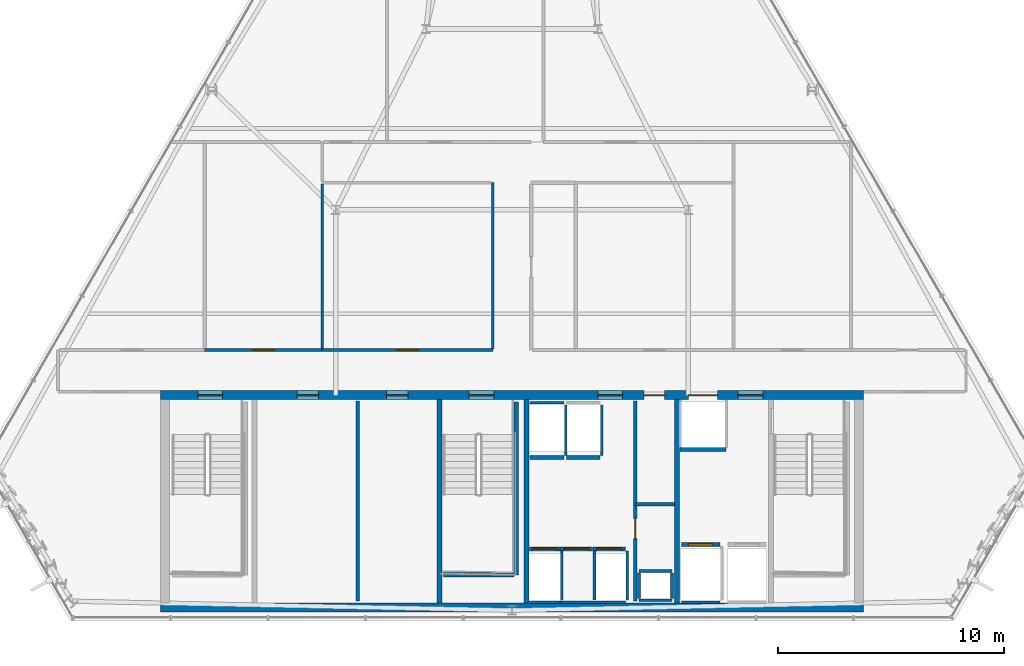
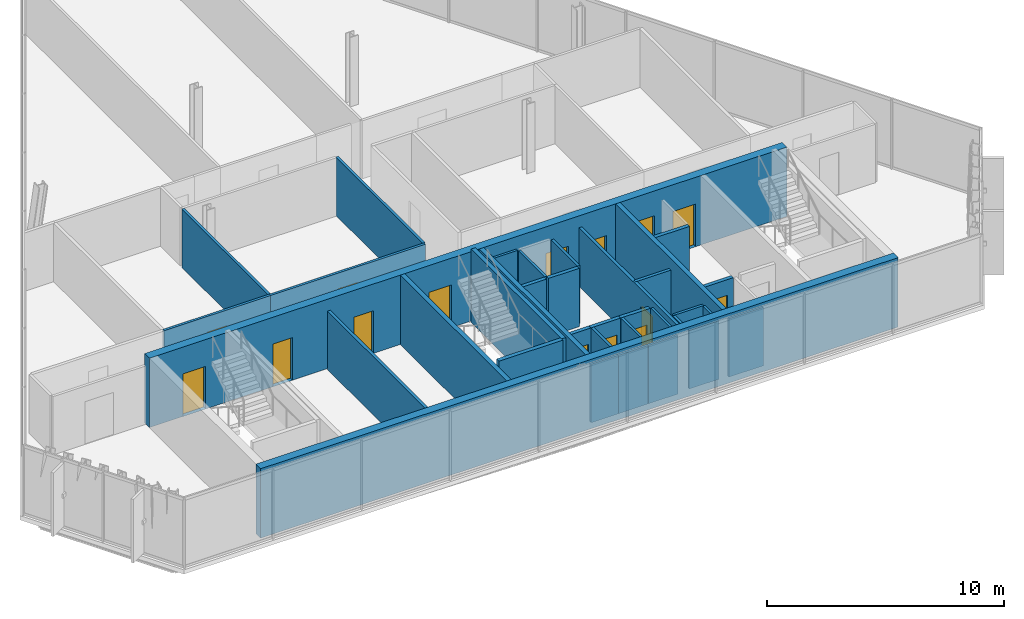
# One storey, part 24 of 30: 35 walls, 15 doors, 15 openings.
"""IFC4 building model written with IfcOpenShell, lengths in metres."""

from ifc_helpers import new_model, si_unit, direction, frame, frame_2d, origin, place, context, subcontext, project, spatial, rectangle, extrude, material, layer, layer_set, type_object, element, fill, save


model = new_model("IFC4")

# Units and contexts
model_context = context("Model", 3, precision=1e-05, world=origin(), true_north=direction((0.0, 1.0)))
body_context = subcontext(model_context, "Body", "Model", "MODEL_VIEW")
ifc_project = project(units=[si_unit("LENGTHUNIT", "METRE"), si_unit("AREAUNIT", "SQUARE_METRE"), si_unit("VOLUMEUNIT", "CUBIC_METRE"), si_unit("PLANEANGLEUNIT", "RADIAN"), si_unit("MASSUNIT", "GRAM", prefix="KILO")], contexts=[model_context])

# Site, building, storey
site_placement = place(None, origin())
site = spatial("IfcSite", under=ifc_project, at=site_placement, CompositionType="ELEMENT")
building_placement = place(site_placement, origin())
building = spatial("IfcBuilding", under=site, at=building_placement, Name="Ndaravel Arena Tower", CompositionType="ELEMENT")
storey_placement = place(building_placement, frame((0.0, 0.0, 225.60009765625)))
storey = spatial("IfcBuildingStorey", under=building, at=storey_placement, Name="L54", CompositionType="ELEMENT", Elevation=225.60009765625)

# Wall, opening, door
ifc_material_1 = material(Name="Gypsum", Category="gypsum")
ifc_layer_1 = layer(ifc_material_1, 0.14990234375)
ifc_layer_set_1 = layer_set([ifc_layer_1], Name="Gypsum")
wall_type_1 = type_object("IfcWallType", Name="WALL-COMP-150", PredefinedType="PARTITIONING", material=ifc_layer_set_1)
wall_1_placement = place(storey_placement, frame((47.449951171875, 5.89990234375, 0.0), z_axis=(0.0, 0.0, 1.0), x_axis=(0.0, 1.0, 0.0)))
wall_1 = element("IfcWall", 1, at=wall_1_placement, inside=storey, type_object=wall_type_1, Name="L54 Core Riser Bay Partition", PredefinedType="PARTITIONING", context=body_context, shape_type="SweptSolid", body=[
    extrude(rectangle(XDim=8.85009765625, YDim=0.14990234375, at=frame_2d((4.425048828125, 0.0))), origin(), (0.0, 0.0, 1.0), 3.010498046875),
])
opening_1_placement = place(wall_1_placement, frame((2.75, 0.0, 0.0)))
opening_1 = element("IfcOpeningElement", 2, at=opening_1_placement, cuts=wall_1, Name="Opening RD-01", PredefinedType="OPENING", context=body_context, shape_type="SweptSolid", body=[
    extrude(rectangle(XDim=0.89990234375, YDim=2.10009765625, at=frame_2d((0.449951171875, 1.050048828125))), frame((0.0, 0.074951171875, 0.0), z_axis=(0.0, -1.0, 0.0), x_axis=(1.0, 0.0, 0.0)), (0.0, 0.0, 1.0), 0.14990234375),
])
ifc_material_2 = material(Name="Steel S355", Category="steel")
door_type_1 = type_object("IfcDoorType", Name="DT-08-RISER-900", OperationType="SINGLE_SWING_LEFT", PredefinedType="DOOR", material=ifc_material_2)
door_1_placement = place(opening_1_placement, origin())
door_1 = element("IfcDoor", 3, at=door_1_placement, inside=storey, type_object=door_type_1, Name="L54 Electrical Riser Door", OperationType="SINGLE_SWING_RIGHT", OverallHeight=2.10009765625, OverallWidth=0.89990234375, PredefinedType="DOOR", context=body_context, shape_type="SweptSolid", body=[
    extrude(rectangle(XDim=0.89990234375, YDim=2.10009765625, at=frame_2d((0.449951171875, 1.050048828125))), frame((0.0, 0.02490234375, 0.0), z_axis=(0.0, -1.0, 0.0), x_axis=(1.0, 0.0, 0.0)), (0.0, 0.0, 1.0), 0.050048828125),
])
fill(opening_1, door_1)

# Walls
wall_2_placement = place(storey_placement, frame((47.449951171875, 10.179931640625, 0.0), z_axis=(0.0, 0.0, 1.0), x_axis=(1.0, 0.0, 0.0)))
element("IfcWall", 4, at=wall_2_placement, inside=storey, type_object=wall_type_1, Name="L54 Core Riser Divider 1", PredefinedType="PARTITIONING", context=body_context, shape_type="SweptSolid", body=[
    extrude(rectangle(XDim=1.72998046875, YDim=0.14990234375, at=frame_2d((0.864990234375, 0.0))), origin(), (0.0, 0.0, 1.0), 3.010498046875),
])
wall_3_placement = place(storey_placement, frame((35.179931640625, 5.89990234375, 0.0), z_axis=(0.0, 0.0, 1.0), x_axis=(0.0, 1.0, 0.0)))
element("IfcWall", 5, at=wall_3_placement, inside=storey, type_object=wall_type_1, Name="L54 High-Zone Core Divider 1", PredefinedType="PARTITIONING", context=body_context, shape_type="SweptSolid", body=[
    extrude(rectangle(XDim=8.85009765625, YDim=0.14990234375, at=frame_2d((4.425048828125, 0.0))), origin(), (0.0, 0.0, 1.0), 3.010498046875),
])
ifc_material_3 = material(Name="Concrete C50/60", Category="concrete")
ifc_layer_2 = layer(ifc_material_3, 0.219970703125)
ifc_layer_set_2 = layer_set([ifc_layer_2], Name="Concrete C50/60")
wall_type_2 = type_object("IfcWallType", Name="WALL-CORE-220", PredefinedType="SOLIDWALL", material=ifc_layer_set_2)
for number, where, z_axis, x_axis, name in (
    (6, (38.800048828125, 5.800048828125, 0.0), (0.0, 0.0, 1.0), (0.0, 1.0, 0.0), "L54 Core Web Shear Wall 2"),
    (7, (42.64990234375, 5.800048828125, 0.0), (0.0, 0.0, 1.0), (0.0, 1.0, 0.0), "L54 Core Web Shear Wall 3"),
    (8, (49.300048828125, 5.800048828125, 0.0), (0.0, 0.0, 1.0), (0.0, 1.0, 0.0), "L54 Core Web Shear Wall 4"),
):
    element("IfcWall", number, at=place(storey_placement, frame(where, z_axis=z_axis, x_axis=x_axis)), inside=storey, type_object=wall_type_2, Name=name, PredefinedType="SOLIDWALL", context=body_context, shape_type="SweptSolid", body=[
        extrude(rectangle(XDim=9.0, YDim=0.219970703125, at=frame_2d((4.5, 0.0))), origin(), (0.0, 0.0, 1.0), 3.579833984375),
    ])

# Wall, openings, doors
ifc_material_4 = material(Name="Concrete C50/60", Category="concrete")
ifc_layer_3 = layer(ifc_material_4, 0.39990234375)
ifc_layer_set_3 = layer_set([ifc_layer_3], Name="Concrete C50/60")
wall_type_3 = type_object("IfcWallType", Name="WALL-CORE-400", PredefinedType="SOLIDWALL", material=ifc_layer_set_3)
wall_4_placement = place(storey_placement, frame((26.449951171875, 15.0, 0.0), z_axis=(0.0, 0.0, 1.0), x_axis=(1.0, 0.0, 0.0)))
wall_4 = element("IfcWall", 9, at=wall_4_placement, inside=storey, type_object=wall_type_3, Name="L54 Core North Shear Wall", PredefinedType="SOLIDWALL", context=body_context, shape_type="SweptSolid", body=[
    extrude(rectangle(XDim=31.10009765625, YDim=0.39990234375, at=frame_2d((15.550048828125, 0.0))), origin(), (0.0, 0.0, 1.0), 3.579833984375),
])
opening_2_placement = place(wall_4_placement, frame((1.64990234375, 0.0, 0.0)))
opening_2 = element("IfcOpeningElement", 10, at=opening_2_placement, cuts=wall_4, Name="Opening FD-01", PredefinedType="OPENING", context=body_context, shape_type="SweptSolid", body=[
    extrude(rectangle(XDim=1.10009765625, YDim=2.199951171875, at=frame_2d((0.550048828125, 1.10009765625))), frame((0.0, 0.199951171875, 0.0), z_axis=(0.0, -1.0, 0.0), x_axis=(1.0, 0.0, 0.0)), (0.0, 0.0, 1.0), 0.39990234375),
])
opening_3_placement = place(wall_4_placement, frame((13.64990234375, 0.0, 0.0)))
opening_3 = element("IfcOpeningElement", 11, at=opening_3_placement, cuts=wall_4, Name="Opening FD-01", PredefinedType="OPENING", context=body_context, shape_type="SweptSolid", body=[
    extrude(rectangle(XDim=1.10009765625, YDim=2.199951171875, at=frame_2d((0.550048828125, 1.10009765625))), frame((0.0, 0.199951171875, 0.0), z_axis=(0.0, -1.0, 0.0), x_axis=(1.0, 0.0, 0.0)), (0.0, 0.0, 1.0), 0.39990234375),
])
opening_4_placement = place(wall_4_placement, frame((25.550048828125, 0.0, 0.0)))
opening_4 = element("IfcOpeningElement", 12, at=opening_4_placement, cuts=wall_4, Name="Opening FD-01", PredefinedType="OPENING", context=body_context, shape_type="SweptSolid", body=[
    extrude(rectangle(XDim=1.10009765625, YDim=2.199951171875, at=frame_2d((0.550048828125, 1.10009765625))), frame((0.0, 0.199951171875, 0.0), z_axis=(0.0, -1.0, 0.0), x_axis=(1.0, 0.0, 0.0)), (0.0, 0.0, 1.0), 0.39990234375),
])
opening_5_placement = place(wall_4_placement, frame((19.35009765625, 0.0, 0.0)))
opening_5 = element("IfcOpeningElement", 13, at=opening_5_placement, cuts=wall_4, Name="Opening FD-01", PredefinedType="OPENING", context=body_context, shape_type="SweptSolid", body=[
    extrude(rectangle(XDim=1.10009765625, YDim=2.199951171875, at=frame_2d((0.550048828125, 1.10009765625))), frame((0.0, 0.199951171875, 0.0), z_axis=(0.0, -1.0, 0.0), x_axis=(1.0, 0.0, 0.0)), (0.0, 0.0, 1.0), 0.39990234375),
])
opening_6_placement = place(wall_4_placement, frame((21.39990234375, 0.0, 0.0)))
opening_6 = element("IfcOpeningElement", 14, at=opening_6_placement, cuts=wall_4, Name="Opening RD-01", PredefinedType="OPENING", context=body_context, shape_type="SweptSolid", body=[
    extrude(rectangle(XDim=0.89990234375, YDim=2.10009765625, at=frame_2d((0.449951171875, 1.050048828125))), frame((0.0, 0.199951171875, 0.0), z_axis=(0.0, -1.0, 0.0), x_axis=(1.0, 0.0, 0.0)), (0.0, 0.0, 1.0), 0.39990234375),
])
opening_7_placement = place(wall_4_placement, frame((6.0400390625, 0.0, 0.0)))
opening_7 = element("IfcOpeningElement", 15, at=opening_7_placement, cuts=wall_4, Name="Opening FD-03", PredefinedType="OPENING", context=body_context, shape_type="SweptSolid", body=[
    extrude(rectangle(XDim=0.949951171875, YDim=2.199951171875, at=frame_2d((0.47509765625, 1.10009765625))), frame((0.0, 0.199951171875, 0.0), z_axis=(0.0, -1.0, 0.0), x_axis=(1.0, 0.0, 0.0)), (0.0, 0.0, 1.0), 0.39990234375),
])
opening_8_placement = place(wall_4_placement, frame((9.989990234375, 0.0, 0.0)))
opening_8 = element("IfcOpeningElement", 16, at=opening_8_placement, cuts=wall_4, Name="Opening FD-03", PredefinedType="OPENING", context=body_context, shape_type="SweptSolid", body=[
    extrude(rectangle(XDim=0.949951171875, YDim=2.199951171875, at=frame_2d((0.47509765625, 1.10009765625))), frame((0.0, 0.199951171875, 0.0), z_axis=(0.0, -1.0, 0.0), x_axis=(1.0, 0.0, 0.0)), (0.0, 0.0, 1.0), 0.39990234375),
])
opening_9_placement = place(wall_4_placement, frame((23.35009765625, 0.0, 0.0)))
opening_9 = element("IfcOpeningElement", 17, at=opening_9_placement, cuts=wall_4, Name="Opening LD-02", PredefinedType="OPENING", context=body_context, shape_type="SweptSolid", body=[
    extrude(rectangle(XDim=1.300048828125, YDim=2.300048828125, at=frame_2d((0.64990234375, 1.14990234375))), frame((0.0, 0.199951171875, 0.0), z_axis=(0.0, -1.0, 0.0), x_axis=(1.0, 0.0, 0.0)), (0.0, 0.0, 1.0), 0.39990234375),
])
ifc_material_5 = material(Name="Steel S355", Category="steel")
door_type_2 = type_object("IfcDoorType", Name="DT-01-STAIR-1100", OperationType="SINGLE_SWING_LEFT", PredefinedType="DOOR", material=ifc_material_5)
door_2_placement = place(opening_2_placement, origin())
door_2 = element("IfcDoor", 18, at=door_2_placement, inside=storey, type_object=door_type_2, Name="L54 Exit Stair ST-1 Door", OperationType="SINGLE_SWING_LEFT", OverallHeight=2.199951171875, OverallWidth=1.10009765625, PredefinedType="DOOR", context=body_context, shape_type="SweptSolid", body=[
    extrude(rectangle(XDim=1.10009765625, YDim=2.199951171875, at=frame_2d((0.550048828125, 1.10009765625))), frame((0.0, 0.02490234375, 0.0), z_axis=(0.0, -1.0, 0.0), x_axis=(1.0, 0.0, 0.0)), (0.0, 0.0, 1.0), 0.050048828125),
])
fill(opening_2, door_2)
door_3_placement = place(opening_3_placement, origin())
door_3 = element("IfcDoor", 19, at=door_3_placement, inside=storey, type_object=door_type_2, Name="L54 Exit Stair ST-2 Door", OperationType="SINGLE_SWING_RIGHT", OverallHeight=2.199951171875, OverallWidth=1.10009765625, PredefinedType="DOOR", context=body_context, shape_type="SweptSolid", body=[
    extrude(rectangle(XDim=1.10009765625, YDim=2.199951171875, at=frame_2d((0.550048828125, 1.10009765625))), frame((0.0, 0.02490234375, 0.0), z_axis=(0.0, -1.0, 0.0), x_axis=(1.0, 0.0, 0.0)), (0.0, 0.0, 1.0), 0.050048828125),
])
fill(opening_3, door_3)
door_4_placement = place(opening_4_placement, origin())
door_4 = element("IfcDoor", 20, at=door_4_placement, inside=storey, type_object=door_type_2, Name="L54 Firefighting Lift Lobby Door", OperationType="SINGLE_SWING_RIGHT", OverallHeight=2.199951171875, OverallWidth=1.10009765625, PredefinedType="DOOR", context=body_context, shape_type="SweptSolid", body=[
    extrude(rectangle(XDim=1.10009765625, YDim=2.199951171875, at=frame_2d((0.550048828125, 1.10009765625))), frame((0.0, 0.02490234375, 0.0), z_axis=(0.0, -1.0, 0.0), x_axis=(1.0, 0.0, 0.0)), (0.0, 0.0, 1.0), 0.050048828125),
])
fill(opening_4, door_4)
door_5_placement = place(opening_5_placement, origin())
door_5 = element("IfcDoor", 21, at=door_5_placement, inside=storey, type_object=door_type_2, Name="L54 Express Lift Lobby Entry Door", OperationType="SINGLE_SWING_LEFT", OverallHeight=2.199951171875, OverallWidth=1.10009765625, PredefinedType="DOOR", context=body_context, shape_type="SweptSolid", body=[
    extrude(rectangle(XDim=1.10009765625, YDim=2.199951171875, at=frame_2d((0.550048828125, 1.10009765625))), frame((0.0, 0.02490234375, 0.0), z_axis=(0.0, -1.0, 0.0), x_axis=(1.0, 0.0, 0.0)), (0.0, 0.0, 1.0), 0.050048828125),
])
fill(opening_5, door_5)
ifc_material_6 = material(Name="Steel S355", Category="steel")
door_type_3 = type_object("IfcDoorType", Name="DT-07-SVLIFT-1300", OperationType="DOUBLE_DOOR_SLIDING", PredefinedType="DOOR", material=ifc_material_6)
door_6_placement = place(opening_9_placement, origin())
door_6 = element("IfcDoor", 22, at=door_6_placement, inside=storey, type_object=door_type_3, Name="L54 Lift SVL-1 Sliding Landing Door", OperationType="DOUBLE_DOOR_SLIDING", OverallHeight=2.300048828125, OverallWidth=1.300048828125, PredefinedType="DOOR", context=body_context, shape_type="SweptSolid", body=[
    extrude(rectangle(XDim=1.300048828125, YDim=2.300048828125, at=frame_2d((0.64990234375, 1.14990234375))), frame((0.0, 0.02490234375, 0.0), z_axis=(0.0, -1.0, 0.0), x_axis=(1.0, 0.0, 0.0)), (0.0, 0.0, 1.0), 0.050048828125),
])
fill(opening_9, door_6)
door_7_placement = place(opening_6_placement, origin())
door_7 = element("IfcDoor", 23, at=door_7_placement, inside=storey, type_object=door_type_1, Name="L54 Core Service Riser North Door", OperationType="SINGLE_SWING_LEFT", OverallHeight=2.10009765625, OverallWidth=0.89990234375, PredefinedType="DOOR", context=body_context, shape_type="SweptSolid", body=[
    extrude(rectangle(XDim=0.89990234375, YDim=2.10009765625, at=frame_2d((0.449951171875, 1.050048828125))), frame((0.0, 0.02490234375, 0.0), z_axis=(0.0, -1.0, 0.0), x_axis=(1.0, 0.0, 0.0)), (0.0, 0.0, 1.0), 0.050048828125),
])
fill(opening_6, door_7)
ifc_material_7 = material(Name="Steel S355", Category="steel")
door_type_4 = type_object("IfcDoorType", Name="DT-11-CORE-950", OperationType="SINGLE_SWING_LEFT", PredefinedType="DOOR", material=ifc_material_7)
door_8_placement = place(opening_7_placement, origin())
door_8 = element("IfcDoor", 24, at=door_8_placement, inside=storey, type_object=door_type_4, Name="L54 High-Zone Reclaimed Core Room 1 Door", OperationType="SINGLE_SWING_LEFT", OverallHeight=2.199951171875, OverallWidth=0.949951171875, PredefinedType="DOOR", context=body_context, shape_type="SweptSolid", body=[
    extrude(rectangle(XDim=0.949951171875, YDim=2.199951171875, at=frame_2d((0.47509765625, 1.10009765625))), frame((0.0, 0.02490234375, 0.0), z_axis=(0.0, -1.0, 0.0), x_axis=(1.0, 0.0, 0.0)), (0.0, 0.0, 1.0), 0.050048828125),
])
fill(opening_7, door_8)
door_9_placement = place(opening_8_placement, origin())
door_9 = element("IfcDoor", 25, at=door_9_placement, inside=storey, type_object=door_type_4, Name="L54 High-Zone Reclaimed Core Room 2 Door", OperationType="SINGLE_SWING_RIGHT", OverallHeight=2.199951171875, OverallWidth=0.949951171875, PredefinedType="DOOR", context=body_context, shape_type="SweptSolid", body=[
    extrude(rectangle(XDim=0.949951171875, YDim=2.199951171875, at=frame_2d((0.47509765625, 1.10009765625))), frame((0.0, 0.02490234375, 0.0), z_axis=(0.0, -1.0, 0.0), x_axis=(1.0, 0.0, 0.0)), (0.0, 0.0, 1.0), 0.050048828125),
])
fill(opening_8, door_9)

# Wall
wall_5_placement = place(storey_placement, frame((26.449951171875, 5.60009765625, 0.0), z_axis=(0.0, 0.0, 1.0), x_axis=(1.0, 0.0, 0.0)))
element("IfcWall", 26, at=wall_5_placement, inside=storey, type_object=wall_type_3, Name="L54 Core South Shear Wall", PredefinedType="SOLIDWALL", context=body_context, shape_type="SweptSolid", body=[
    extrude(rectangle(XDim=31.10009765625, YDim=0.39990234375, at=frame_2d((15.550048828125, 0.0))), origin(), (0.0, 0.0, 1.0), 3.579833984375),
])

# Wall, opening, door
ifc_material_8 = material(Name="Gypsum", Category="gypsum")
ifc_layer_4 = layer(ifc_material_8, 0.125)
ifc_layer_set_4 = layer_set([ifc_layer_4], Name="Gypsum")
wall_type_4 = type_object("IfcWallType", Name="WALL-PART-125", PredefinedType="PARTITIONING", material=ifc_layer_set_4)
wall_6_placement = place(storey_placement, frame((28.39990234375, 17.0, 0.0), z_axis=(0.0, 0.0, 1.0), x_axis=(1.0, 0.0, 0.0)))
wall_6 = element("IfcWall", 27, at=wall_6_placement, inside=storey, type_object=wall_type_4, Name="L54 Interior Partition 006", PredefinedType="PARTITIONING", context=body_context, shape_type="SweptSolid", body=[
    extrude(rectangle(XDim=5.2001953125, YDim=0.125, at=frame_2d((2.60009765625, 0.0))), origin(), (0.0, 0.0, 1.0), 3.010498046875),
])
opening_10_placement = place(wall_6_placement, frame((2.125, 0.0, 0.0)))
opening_10 = element("IfcOpeningElement", 28, at=opening_10_placement, cuts=wall_6, Name="Opening ID-01", PredefinedType="OPENING", context=body_context, shape_type="SweptSolid", body=[
    extrude(rectangle(XDim=0.949951171875, YDim=2.199951171875, at=frame_2d((0.47509765625, 1.10009765625))), frame((0.0, 0.0625, 0.0), z_axis=(0.0, -1.0, 0.0), x_axis=(1.0, 0.0, 0.0)), (0.0, 0.0, 1.0), 0.125),
])
ifc_material_9 = material(Name="Timber", Category="wood")
door_type_5 = type_object("IfcDoorType", Name="DT-03-OFFICE-950", OperationType="SINGLE_SWING_LEFT", PredefinedType="DOOR", material=ifc_material_9)
door_10_placement = place(opening_10_placement, origin())
door_10 = element("IfcDoor", 29, at=door_10_placement, inside=storey, type_object=door_type_5, Name="L54 Quiet Study Room 3 Door", OperationType="SINGLE_SWING_RIGHT", OverallHeight=2.199951171875, OverallWidth=0.949951171875, PredefinedType="DOOR", context=body_context, shape_type="SweptSolid", body=[
    extrude(rectangle(XDim=0.949951171875, YDim=2.199951171875, at=frame_2d((0.47509765625, 1.10009765625))), frame((0.0, 0.02490234375, 0.0), z_axis=(0.0, -1.0, 0.0), x_axis=(1.0, 0.0, 0.0)), (0.0, 0.0, 1.0), 0.050048828125),
])
fill(opening_10, door_10)

wall_7_placement = place(storey_placement, frame((33.60009765625, 17.0, 0.0), z_axis=(0.0, 0.0, 1.0), x_axis=(1.0, 0.0, 0.0)))
wall_7 = element("IfcWall", 30, at=wall_7_placement, inside=storey, type_object=wall_type_4, Name="L54 Interior Partition 007", PredefinedType="PARTITIONING", context=body_context, shape_type="SweptSolid", body=[
    extrude(rectangle(XDim=7.5498046875, YDim=0.125, at=frame_2d((3.77490234375, 0.0))), origin(), (0.0, 0.0, 1.0), 3.010498046875),
])
opening_11_placement = place(wall_7_placement, frame((3.300048828125, 0.0, 0.0)))
opening_11 = element("IfcOpeningElement", 31, at=opening_11_placement, cuts=wall_7, Name="Opening ID-01", PredefinedType="OPENING", context=body_context, shape_type="SweptSolid", body=[
    extrude(rectangle(XDim=0.949951171875, YDim=2.199951171875, at=frame_2d((0.47509765625, 1.10009765625))), frame((0.0, 0.0625, 0.0), z_axis=(0.0, -1.0, 0.0), x_axis=(1.0, 0.0, 0.0)), (0.0, 0.0, 1.0), 0.125),
])
door_11_placement = place(opening_11_placement, origin())
door_11 = element("IfcDoor", 32, at=door_11_placement, inside=storey, type_object=door_type_5, Name="L54 Staff Wellness Clinic Door", OperationType="SINGLE_SWING_LEFT", OverallHeight=2.199951171875, OverallWidth=0.949951171875, PredefinedType="DOOR", context=body_context, shape_type="SweptSolid", body=[
    extrude(rectangle(XDim=0.949951171875, YDim=2.199951171875, at=frame_2d((0.47509765625, 1.10009765625))), frame((0.0, 0.02490234375, 0.0), z_axis=(0.0, -1.0, 0.0), x_axis=(1.0, 0.0, 0.0)), (0.0, 0.0, 1.0), 0.050048828125),
])
fill(opening_11, door_11)

# Walls
wall_8_placement = place(storey_placement, frame((41.14990234375, 17.06494140625, 0.0), z_axis=(0.0, 0.0, 1.0), x_axis=(0.0, 1.0, 0.0)))
element("IfcWall", 33, at=wall_8_placement, inside=storey, type_object=wall_type_4, Name="L54 Interior Partition 008", PredefinedType="PARTITIONING", context=body_context, shape_type="SweptSolid", body=[
    extrude(rectangle(XDim=7.3349609375, YDim=0.125, at=frame_2d((3.66748046875, 0.0))), origin(), (0.0, 0.0, 1.0), 3.010498046875),
])
wall_9_placement = place(storey_placement, frame((33.60009765625, 17.06494140625, 0.0), z_axis=(0.0, 0.0, 1.0), x_axis=(0.0, 1.0, 0.0)))
element("IfcWall", 34, at=wall_9_placement, inside=storey, type_object=wall_type_4, Name="L54 Interior Partition 028", PredefinedType="PARTITIONING", context=body_context, shape_type="SweptSolid", body=[
    extrude(rectangle(XDim=7.27001953125, YDim=0.125, at=frame_2d((3.635009765625, 0.0))), origin(), (0.0, 0.0, 1.0), 3.010498046875),
])
ifc_material_10 = material(Name="Concrete C40/50", Category="concrete")
ifc_layer_5 = layer(ifc_material_10, 0.1201171875)
ifc_layer_set_5 = layer_set([ifc_layer_5], Name="Concrete C40/50")
wall_type_5 = type_object("IfcWallType", Name="WALL-SHAFT-120", PredefinedType="SOLIDWALL", material=ifc_layer_set_5)
for number, where, z_axis, x_axis, name in (
    (35, (47.6201171875, 5.919921875, 0.0), (0.0, 0.0, 1.0), (1.0, 0.0, 0.0), "L54 MEP Riser Shaft S Wall"),
    (36, (47.6201171875, 7.219970703125, 0.0), (0.0, 0.0, 1.0), (1.0, 0.0, 0.0), "L54 MEP Riser Shaft N Wall"),
):
    element("IfcWall", number, at=place(storey_placement, frame(where, z_axis=z_axis, x_axis=x_axis)), inside=storey, type_object=wall_type_5, Name=name, PredefinedType="SOLIDWALL", context=body_context, shape_type="SweptSolid", body=[
        extrude(rectangle(XDim=1.4599609375, YDim=0.1201171875, at=frame_2d((0.72998046875, 0.0))), origin(), (0.0, 0.0, 1.0), 3.010498046875),
    ])
for number, where, z_axis, x_axis, name in (
    (37, (47.6201171875, 6.0, 0.0), (0.0, 0.0, 1.0), (0.0, 1.0, 0.0), "L54 MEP Riser Shaft W Wall"),
    (38, (49.080078125, 6.0, 0.0), (0.0, 0.0, 1.0), (0.0, 1.0, 0.0), "L54 MEP Riser Shaft E Wall"),
):
    element("IfcWall", number, at=place(storey_placement, frame(where, z_axis=z_axis, x_axis=x_axis)), inside=storey, type_object=wall_type_5, Name=name, PredefinedType="SOLIDWALL", context=body_context, shape_type="SweptSolid", body=[
        extrude(rectangle(XDim=1.139892578125, YDim=0.1201171875, at=frame_2d((0.56982421875, 0.0))), origin(), (0.0, 0.0, 1.0), 3.010498046875),
    ])
wall_10_placement = place(storey_placement, frame((42.780029296875, 5.840087890625, 0.0), z_axis=(0.0, 0.0, 1.0), x_axis=(1.0, 0.0, 0.0)))
element("IfcWall", 39, at=wall_10_placement, inside=storey, type_object=wall_type_5, Name="L54 PL-H1 Shaft Rear Wall", PredefinedType="SOLIDWALL", context=body_context, shape_type="SweptSolid", body=[
    extrude(rectangle(XDim=1.340087890625, YDim=0.1201171875, at=frame_2d((0.669921875, 0.0))), origin(), (0.0, 0.0, 1.0), 3.010498046875),
])
wall_11_placement = place(storey_placement, frame((44.199951171875, 5.929931640625, 0.0), z_axis=(0.0, 0.0, 1.0), x_axis=(0.0, 1.0, 0.0)))
element("IfcWall", 40, at=wall_11_placement, inside=storey, type_object=wall_type_5, Name="L54 PL-H1 Shaft Side R Wall", PredefinedType="SOLIDWALL", context=body_context, shape_type="SweptSolid", body=[
    extrude(rectangle(XDim=2.18017578125, YDim=0.1201171875, at=frame_2d((1.090087890625, 0.0))), origin(), (0.0, 0.0, 1.0), 3.010498046875),
])
wall_12_placement = place(storey_placement, frame((44.1298828125, 5.840087890625, 0.0), z_axis=(0.0, 0.0, 1.0), x_axis=(1.0, 0.0, 0.0)))
element("IfcWall", 41, at=wall_12_placement, inside=storey, type_object=wall_type_5, Name="L54 PL-H2 Shaft Rear Wall", PredefinedType="SOLIDWALL", context=body_context, shape_type="SweptSolid", body=[
    extrude(rectangle(XDim=1.440185546875, YDim=0.1201171875, at=frame_2d((0.72021484375, 0.0))), origin(), (0.0, 0.0, 1.0), 3.010498046875),
])
wall_13_placement = place(storey_placement, frame((45.64990234375, 5.929931640625, 0.0), z_axis=(0.0, 0.0, 1.0), x_axis=(0.0, 1.0, 0.0)))
element("IfcWall", 42, at=wall_13_placement, inside=storey, type_object=wall_type_5, Name="L54 PL-H2 Shaft Side R Wall", PredefinedType="SOLIDWALL", context=body_context, shape_type="SweptSolid", body=[
    extrude(rectangle(XDim=2.18017578125, YDim=0.1201171875, at=frame_2d((1.090087890625, 0.0))), origin(), (0.0, 0.0, 1.0), 3.010498046875),
])
wall_14_placement = place(storey_placement, frame((45.580078125, 5.840087890625, 0.0), z_axis=(0.0, 0.0, 1.0), x_axis=(1.0, 0.0, 0.0)))
element("IfcWall", 43, at=wall_14_placement, inside=storey, type_object=wall_type_5, Name="L54 PL-H3 Shaft Rear Wall", PredefinedType="SOLIDWALL", context=body_context, shape_type="SweptSolid", body=[
    extrude(rectangle(XDim=1.43994140625, YDim=0.1201171875, at=frame_2d((0.719970703125, 0.0))), origin(), (0.0, 0.0, 1.0), 3.010498046875),
])
wall_15_placement = place(storey_placement, frame((47.10009765625, 5.929931640625, 0.0), z_axis=(0.0, 0.0, 1.0), x_axis=(0.0, 1.0, 0.0)))
element("IfcWall", 44, at=wall_15_placement, inside=storey, type_object=wall_type_5, Name="L54 PL-H3 Shaft Side R Wall", PredefinedType="SOLIDWALL", context=body_context, shape_type="SweptSolid", body=[
    extrude(rectangle(XDim=2.18017578125, YDim=0.1201171875, at=frame_2d((1.090087890625, 0.0))), origin(), (0.0, 0.0, 1.0), 3.010498046875),
])
wall_16_placement = place(storey_placement, frame((42.804931640625, 14.659912109375, 0.0), z_axis=(0.0, 0.0, 1.0), x_axis=(1.0, 0.0, 0.0)))
element("IfcWall", 45, at=wall_16_placement, inside=storey, type_object=wall_type_5, Name="L54 PL-OBS1 Shaft Rear Wall", PredefinedType="SOLIDWALL", context=body_context, shape_type="SweptSolid", body=[
    extrude(rectangle(XDim=1.489990234375, YDim=0.1201171875, at=frame_2d((0.7451171875, 0.0))), origin(), (0.0, 0.0, 1.0), 3.010498046875),
])
for number, where, z_axis, x_axis, name in (
    (46, (44.375, 12.340087890625, 0.0), (0.0, 0.0, 1.0), (0.0, 1.0, 0.0), "L54 PL-OBS1 Shaft Side R Wall"),
    (47, (45.97509765625, 12.340087890625, 0.0), (0.0, 0.0, 1.0), (0.0, 1.0, 0.0), "L54 PL-OBS2 Shaft Side R Wall"),
):
    element("IfcWall", number, at=place(storey_placement, frame(where, z_axis=z_axis, x_axis=x_axis)), inside=storey, type_object=wall_type_5, Name=name, PredefinedType="SOLIDWALL", context=body_context, shape_type="SweptSolid", body=[
        extrude(rectangle(XDim=2.22998046875, YDim=0.1201171875, at=frame_2d((1.114990234375, 0.0))), origin(), (0.0, 0.0, 1.0), 3.010498046875),
    ])
wall_17_placement = place(storey_placement, frame((49.5048828125, 5.840087890625, 0.0), z_axis=(0.0, 0.0, 1.0), x_axis=(1.0, 0.0, 0.0)))
element("IfcWall", 48, at=wall_17_placement, inside=storey, type_object=wall_type_5, Name="L54 FFL-1 Shaft Rear Wall", PredefinedType="SOLIDWALL", context=body_context, shape_type="SweptSolid", body=[
    extrude(rectangle(XDim=1.690185546875, YDim=0.1201171875, at=frame_2d((0.84521484375, 0.0))), origin(), (0.0, 0.0, 1.0), 3.010498046875),
])
ifc_material_11 = material(Name="Concrete C40/50", Category="concrete")
ifc_layer_6 = layer(ifc_material_11, 0.199951171875)
ifc_layer_set_6 = layer_set([ifc_layer_6], Name="Concrete C40/50")
wall_type_6 = type_object("IfcWallType", Name="WALL-SHAFT-200", PredefinedType="SOLIDWALL", material=ifc_layer_set_6)
wall_18_placement = place(storey_placement, frame((42.18994140625, 14.699951171875, 0.0), z_axis=(0.0, 0.0, 1.0), x_axis=(0.0, -1.0, 0.0)))
element("IfcWall", 49, at=wall_18_placement, inside=storey, type_object=wall_type_6, Name="L54 ST-2 Structural Shaft Wall Right", PredefinedType="SOLIDWALL", context=body_context, shape_type="SweptSolid", body=[
    extrude(rectangle(XDim=7.64990234375, YDim=0.199951171875, at=frame_2d((3.824951171875, 0.0))), origin(), (0.0, 0.0, 1.0), 3.7998046875),
])
wall_19_placement = place(storey_placement, frame((38.969970703125, 7.050048828125, 0.0), z_axis=(0.0, 0.0, 1.0), x_axis=(1.0, 0.0, 0.0)))
element("IfcWall", 50, at=wall_19_placement, inside=storey, type_object=wall_type_6, Name="L54 ST-2 Structural Shaft Wall Far", PredefinedType="SOLIDWALL", context=body_context, shape_type="SweptSolid", body=[
    extrude(rectangle(XDim=3.114990234375, YDim=0.199951171875, at=frame_2d((1.5576171875, 0.0))), origin(), (0.0, 0.0, 1.0), 3.7998046875),
])

# Wall, opening, door
wall_20_placement = place(storey_placement, frame((42.780029296875, 8.199951171875, 0.0), z_axis=(0.0, 0.0, 1.0), x_axis=(1.0, 0.0, 0.0)))
wall_20 = element("IfcWall", 51, at=wall_20_placement, inside=storey, type_object=wall_type_6, Name="L54 PL-H1 Shaft Landing Wall", PredefinedType="SOLIDWALL", context=body_context, shape_type="SweptSolid", body=[
    extrude(rectangle(XDim=1.340087890625, YDim=0.179931640625, at=frame_2d((0.669921875, 0.0))), origin(), (0.0, 0.0, 1.0), 3.010498046875),
])
opening_12_placement = place(wall_20_placement, frame((0.1201171875, 0.0, 0.0)))
opening_12 = element("IfcOpeningElement", 52, at=opening_12_placement, cuts=wall_20, Name="Opening LD-01", PredefinedType="OPENING", context=body_context, shape_type="SweptSolid", body=[
    extrude(rectangle(XDim=1.10009765625, YDim=2.199951171875, at=frame_2d((0.550048828125, 1.10009765625))), frame((0.0, 0.08984375, 0.0), z_axis=(0.0, -1.0, 0.0), x_axis=(1.0, 0.0, 0.0)), (0.0, 0.0, 1.0), 0.179931640625),
])
ifc_material_12 = material(Name="Steel S355", Category="steel")
door_type_6 = type_object("IfcDoorType", Name="DT-06-LIFT-1100", OperationType="SLIDING_TO_LEFT", PredefinedType="DOOR", material=ifc_material_12)
door_12_placement = place(opening_12_placement, origin())
door_12 = element("IfcDoor", 53, at=door_12_placement, inside=storey, type_object=door_type_6, Name="L54 Lift PL-H1 Sliding Landing Door", OperationType="SLIDING_TO_LEFT", OverallHeight=2.199951171875, OverallWidth=1.10009765625, PredefinedType="DOOR", context=body_context, shape_type="SweptSolid", body=[
    extrude(rectangle(XDim=1.10009765625, YDim=2.199951171875, at=frame_2d((0.550048828125, 1.10009765625))), frame((0.0, 0.02490234375, 0.0), z_axis=(0.0, -1.0, 0.0), x_axis=(1.0, 0.0, 0.0)), (0.0, 0.0, 1.0), 0.050048828125),
])
fill(opening_12, door_12)

wall_21_placement = place(storey_placement, frame((44.1298828125, 8.199951171875, 0.0), z_axis=(0.0, 0.0, 1.0), x_axis=(1.0, 0.0, 0.0)))
wall_21 = element("IfcWall", 54, at=wall_21_placement, inside=storey, type_object=wall_type_6, Name="L54 PL-H2 Shaft Landing Wall", PredefinedType="SOLIDWALL", context=body_context, shape_type="SweptSolid", body=[
    extrude(rectangle(XDim=1.440185546875, YDim=0.179931640625, at=frame_2d((0.72021484375, 0.0))), origin(), (0.0, 0.0, 1.0), 3.010498046875),
])
opening_13_placement = place(wall_21_placement, frame((0.169921875, 0.0, 0.0)))
opening_13 = element("IfcOpeningElement", 55, at=opening_13_placement, cuts=wall_21, Name="Opening LD-01", PredefinedType="OPENING", context=body_context, shape_type="SweptSolid", body=[
    extrude(rectangle(XDim=1.10009765625, YDim=2.199951171875, at=frame_2d((0.550048828125, 1.10009765625))), frame((0.0, 0.08984375, 0.0), z_axis=(0.0, -1.0, 0.0), x_axis=(1.0, 0.0, 0.0)), (0.0, 0.0, 1.0), 0.179931640625),
])
door_13_placement = place(opening_13_placement, origin())
door_13 = element("IfcDoor", 56, at=door_13_placement, inside=storey, type_object=door_type_6, Name="L54 Lift PL-H2 Sliding Landing Door", OperationType="SLIDING_TO_LEFT", OverallHeight=2.199951171875, OverallWidth=1.10009765625, PredefinedType="DOOR", context=body_context, shape_type="SweptSolid", body=[
    extrude(rectangle(XDim=1.10009765625, YDim=2.199951171875, at=frame_2d((0.550048828125, 1.10009765625))), frame((0.0, 0.02490234375, 0.0), z_axis=(0.0, -1.0, 0.0), x_axis=(1.0, 0.0, 0.0)), (0.0, 0.0, 1.0), 0.050048828125),
])
fill(opening_13, door_13)

wall_22_placement = place(storey_placement, frame((45.580078125, 8.199951171875, 0.0), z_axis=(0.0, 0.0, 1.0), x_axis=(1.0, 0.0, 0.0)))
wall_22 = element("IfcWall", 57, at=wall_22_placement, inside=storey, type_object=wall_type_6, Name="L54 PL-H3 Shaft Landing Wall", PredefinedType="SOLIDWALL", context=body_context, shape_type="SweptSolid", body=[
    extrude(rectangle(XDim=1.43994140625, YDim=0.179931640625, at=frame_2d((0.719970703125, 0.0))), origin(), (0.0, 0.0, 1.0), 3.010498046875),
])
opening_14_placement = place(wall_22_placement, frame((0.169921875, 0.0, 0.0)))
opening_14 = element("IfcOpeningElement", 58, at=opening_14_placement, cuts=wall_22, Name="Opening LD-01", PredefinedType="OPENING", context=body_context, shape_type="SweptSolid", body=[
    extrude(rectangle(XDim=1.10009765625, YDim=2.199951171875, at=frame_2d((0.550048828125, 1.10009765625))), frame((0.0, 0.08984375, 0.0), z_axis=(0.0, -1.0, 0.0), x_axis=(1.0, 0.0, 0.0)), (0.0, 0.0, 1.0), 0.179931640625),
])
door_14_placement = place(opening_14_placement, origin())
door_14 = element("IfcDoor", 59, at=door_14_placement, inside=storey, type_object=door_type_6, Name="L54 Lift PL-H3 Sliding Landing Door", OperationType="SLIDING_TO_LEFT", OverallHeight=2.199951171875, OverallWidth=1.10009765625, PredefinedType="DOOR", context=body_context, shape_type="SweptSolid", body=[
    extrude(rectangle(XDim=1.10009765625, YDim=2.199951171875, at=frame_2d((0.550048828125, 1.10009765625))), frame((0.0, 0.02490234375, 0.0), z_axis=(0.0, -1.0, 0.0), x_axis=(1.0, 0.0, 0.0)), (0.0, 0.0, 1.0), 0.050048828125),
])
fill(opening_14, door_14)

# Walls
for number, where, z_axis, x_axis, name in (
    (60, (42.804931640625, 12.25, 0.0), (0.0, 0.0, 1.0), (1.0, 0.0, 0.0), "L54 PL-OBS1 Shaft Landing Wall"),
    (61, (44.405029296875, 12.25, 0.0), (0.0, 0.0, 1.0), (1.0, 0.0, 0.0), "L54 PL-OBS2 Shaft Landing Wall"),
):
    element("IfcWall", number, at=place(storey_placement, frame(where, z_axis=z_axis, x_axis=x_axis)), inside=storey, type_object=wall_type_6, Name=name, PredefinedType="SOLIDWALL", context=body_context, shape_type="SweptSolid", body=[
        extrude(rectangle(XDim=1.489990234375, YDim=0.179931640625, at=frame_2d((0.7451171875, 0.0))), origin(), (0.0, 0.0, 1.0), 3.010498046875),
    ])

# Wall, opening, door
wall_23_placement = place(storey_placement, frame((49.5048828125, 8.39990234375, 0.0), z_axis=(0.0, 0.0, 1.0), x_axis=(1.0, 0.0, 0.0)))
wall_23 = element("IfcWall", 62, at=wall_23_placement, inside=storey, type_object=wall_type_6, Name="L54 FFL-1 Shaft Landing Wall", PredefinedType="SOLIDWALL", context=body_context, shape_type="SweptSolid", body=[
    extrude(rectangle(XDim=1.690185546875, YDim=0.179931640625, at=frame_2d((0.84521484375, 0.0))), origin(), (0.0, 0.0, 1.0), 3.010498046875),
])
opening_15_placement = place(wall_23_placement, frame((0.294921875, 0.0, 0.0)))
opening_15 = element("IfcOpeningElement", 63, at=opening_15_placement, cuts=wall_23, Name="Opening LD-01", PredefinedType="OPENING", context=body_context, shape_type="SweptSolid", body=[
    extrude(rectangle(XDim=1.10009765625, YDim=2.199951171875, at=frame_2d((0.550048828125, 1.10009765625))), frame((0.0, 0.08984375, 0.0), z_axis=(0.0, -1.0, 0.0), x_axis=(1.0, 0.0, 0.0)), (0.0, 0.0, 1.0), 0.179931640625),
])
door_15_placement = place(opening_15_placement, origin())
door_15 = element("IfcDoor", 64, at=door_15_placement, inside=storey, type_object=door_type_6, Name="L54 Lift FFL-1 Sliding Landing Door", OperationType="SLIDING_TO_LEFT", OverallHeight=2.199951171875, OverallWidth=1.10009765625, PredefinedType="DOOR", context=body_context, shape_type="SweptSolid", body=[
    extrude(rectangle(XDim=1.10009765625, YDim=2.199951171875, at=frame_2d((0.550048828125, 1.10009765625))), frame((0.0, 0.02490234375, 0.0), z_axis=(0.0, -1.0, 0.0), x_axis=(1.0, 0.0, 0.0)), (0.0, 0.0, 1.0), 0.050048828125),
])
fill(opening_15, door_15)

# Wall
wall_24_placement = place(storey_placement, frame((49.43994140625, 12.594970703125, 0.0), z_axis=(0.0, 0.0, 1.0), x_axis=(1.0, 0.0, 0.0)))
element("IfcWall", 65, at=wall_24_placement, inside=storey, type_object=wall_type_6, Name="L54 SVL-1 Shaft South Wall", PredefinedType="SOLIDWALL", context=body_context, shape_type="SweptSolid", body=[
    extrude(rectangle(XDim=2.0400390625, YDim=0.179931640625, at=frame_2d((1.02001953125, 0.0))), origin(), (0.0, 0.0, 1.0), 3.010498046875),
])

save(model, "model.ifc")
